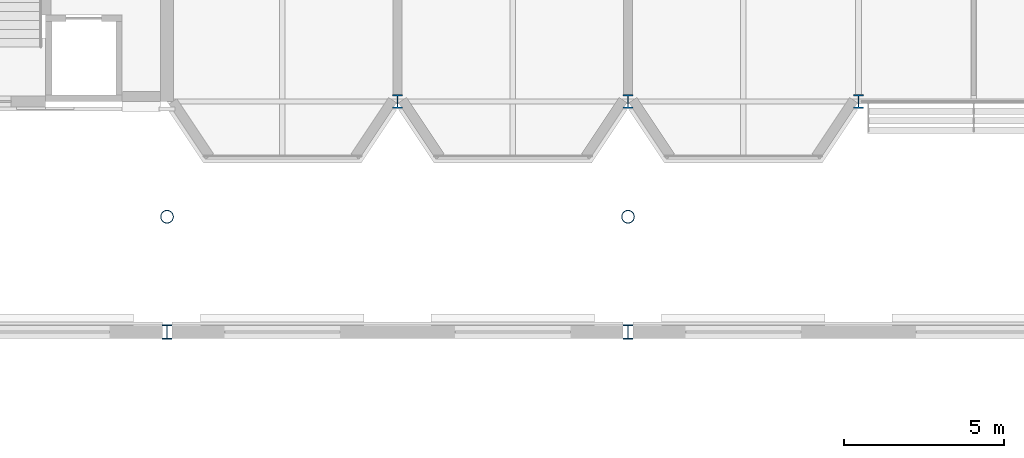
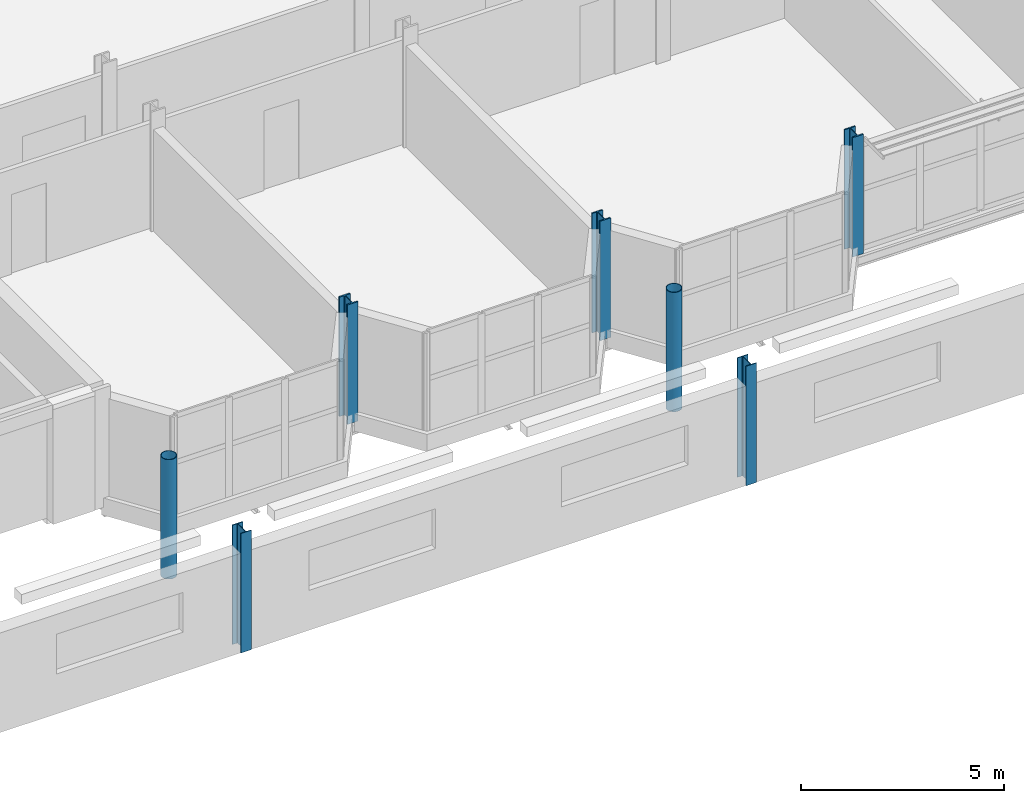
# One storey, part 12 of 124: 7 columns.
"""IFC4 building model written with IfcOpenShell, lengths in metres."""

from ifc_helpers import new_model, si_unit, direction, frame, origin, origin_2d, place, context, subcontext, project, spatial, hollow_circle, i_section, extrude, material, material_profile, profile_set, type_object, element, save


model = new_model("IFC4")

# Units and contexts
model_context = context("Model", 3, precision=1e-05, world=origin(), true_north=direction((0.0, 1.0)))
body_context = subcontext(model_context, "Body", "Model", "MODEL_VIEW")
ifc_project = project(units=[si_unit("LENGTHUNIT", "METRE"), si_unit("AREAUNIT", "SQUARE_METRE"), si_unit("VOLUMEUNIT", "CUBIC_METRE"), si_unit("PLANEANGLEUNIT", "RADIAN"), si_unit("MASSUNIT", "GRAM", prefix="KILO")], contexts=[model_context])

# Site, building, storey
site_placement = place(None, origin())
site = spatial("IfcSite", under=ifc_project, at=site_placement, CompositionType="ELEMENT")
building_placement = place(site_placement, origin())
building = spatial("IfcBuilding", under=site, at=building_placement, Name="Kupolbacken Congress Centre", CompositionType="ELEMENT")
storey_placement = place(building_placement, frame((0.0, 0.0, 10.800048828125)))
storey = spatial("IfcBuildingStorey", under=building, at=storey_placement, Name="L03", CompositionType="ELEMENT", Elevation=10.800048828125)

# Columns
ifc_material_1 = material(Name="Steel S355", Category="steel")
ifc_material_profile_1 = material_profile(ifc_material_1, i_section(OverallWidth=0.306884765625, OverallDepth=0.431884765625, WebThickness=0.02099609375, FlangeThickness=0.0400390625, FilletRadius=0.027099609375, at=origin_2d()), Name="HEM 400")
ifc_profile_set_1 = profile_set([ifc_material_profile_1], Name="Steel S355")
column_type_1 = type_object("IfcColumnType", Name="C02 column HEM 400", PredefinedType="COLUMN", material=ifc_profile_set_1)
for number, where, z_axis, x_axis, name in (
    (1, (115.199951171875, 122.39990234375, 0.0), (0.0, 0.0, 1.0), (1.0, 0.0, 0.0), "S/col/C-T-17T/L03"),
    (2, (122.39990234375, 122.39990234375, 0.0), (0.0, 0.0, 1.0), (1.0, 0.0, 0.0), "S/col/C-T-18T/L03"),
    (3, (129.60009765625, 122.39990234375, 0.0), (0.0, 0.0, 1.0), (1.0, 0.0, 0.0), "S/col/C-T-19T/L03"),
):
    element("IfcColumn", number, at=place(storey_placement, frame(where, z_axis=z_axis, x_axis=x_axis)), inside=storey, type_object=column_type_1, Name=name, PredefinedType="COLUMN", context=body_context, shape_type="SweptSolid", body=[
        extrude(i_section(OverallWidth=0.306884765625, OverallDepth=0.431884765625, WebThickness=0.02099609375, FlangeThickness=0.0400390625, FilletRadius=0.027099609375, at=origin_2d()), origin(), (0.0, 0.0, 1.0), 3.599853515625),
    ])
ifc_material_2 = material(Name="Steel S355", Category="steel")
ifc_material_profile_2 = material_profile(ifc_material_2, i_section(OverallWidth=0.300048828125, OverallDepth=0.43994140625, WebThickness=0.011474609375, FlangeThickness=0.02099609375, FilletRadius=0.027099609375, at=origin_2d()), Name="HEA 450")
ifc_profile_set_2 = profile_set([ifc_material_profile_2], Name="Steel S355")
column_type_2 = type_object("IfcColumnType", Name="C07 column HEA 450", PredefinedType="COLUMN", material=ifc_profile_set_2)
for number, where, z_axis, x_axis, name in (
    (4, (108.0, 115.199951171875, 0.0), (0.0, 0.0, 1.0), (1.0, 0.0, 0.0), "S/col/C-H-T2N/L03"),
    (5, (122.39990234375, 115.199951171875, 0.0), (0.0, 0.0, 1.0), (1.0, 0.0, 0.0), "S/col/C-H-T3N/L03"),
):
    element("IfcColumn", number, at=place(storey_placement, frame(where, z_axis=z_axis, x_axis=x_axis)), inside=storey, type_object=column_type_2, Name=name, PredefinedType="COLUMN", context=body_context, shape_type="SweptSolid", body=[
        extrude(i_section(OverallWidth=0.300048828125, OverallDepth=0.43994140625, WebThickness=0.011474609375, FlangeThickness=0.02099609375, FilletRadius=0.027099609375, at=origin_2d()), origin(), (0.0, 0.0, 1.0), 3.599853515625),
    ])
ifc_material_3 = material(Name="Steel S355", Category="steel")
ifc_material_profile_3 = material_profile(ifc_material_3, hollow_circle(Radius=0.203125, WallThickness=0.01611328125, at=origin_2d()), Name="CHS 406.4 x 16")
ifc_profile_set_3 = profile_set([ifc_material_profile_3], Name="Steel S355")
column_type_3 = type_object("IfcColumnType", Name="C15 roof mast CHS 406.4 x 16", PredefinedType="COLUMN", material=ifc_profile_set_3)
for number, where, z_axis, x_axis, name in (
    (6, (108.0, 118.800048828125, 0.0), (0.0, 0.0, 1.0), (1.0, 0.0, 0.0), "Roof mast M2N"),
    (7, (122.39990234375, 118.800048828125, 0.0), (0.0, 0.0, 1.0), (1.0, 0.0, 0.0), "Roof mast M3N"),
):
    element("IfcColumn", number, at=place(storey_placement, frame(where, z_axis=z_axis, x_axis=x_axis)), inside=storey, type_object=column_type_3, Name=name, PredefinedType="COLUMN", context=body_context, shape_type="SweptSolid", body=[
        extrude(hollow_circle(Radius=0.203125, WallThickness=0.01611328125, at=origin_2d()), origin(), (0.0, 0.0, 1.0), 3.599853515625),
    ])

save(model, "model.ifc")
